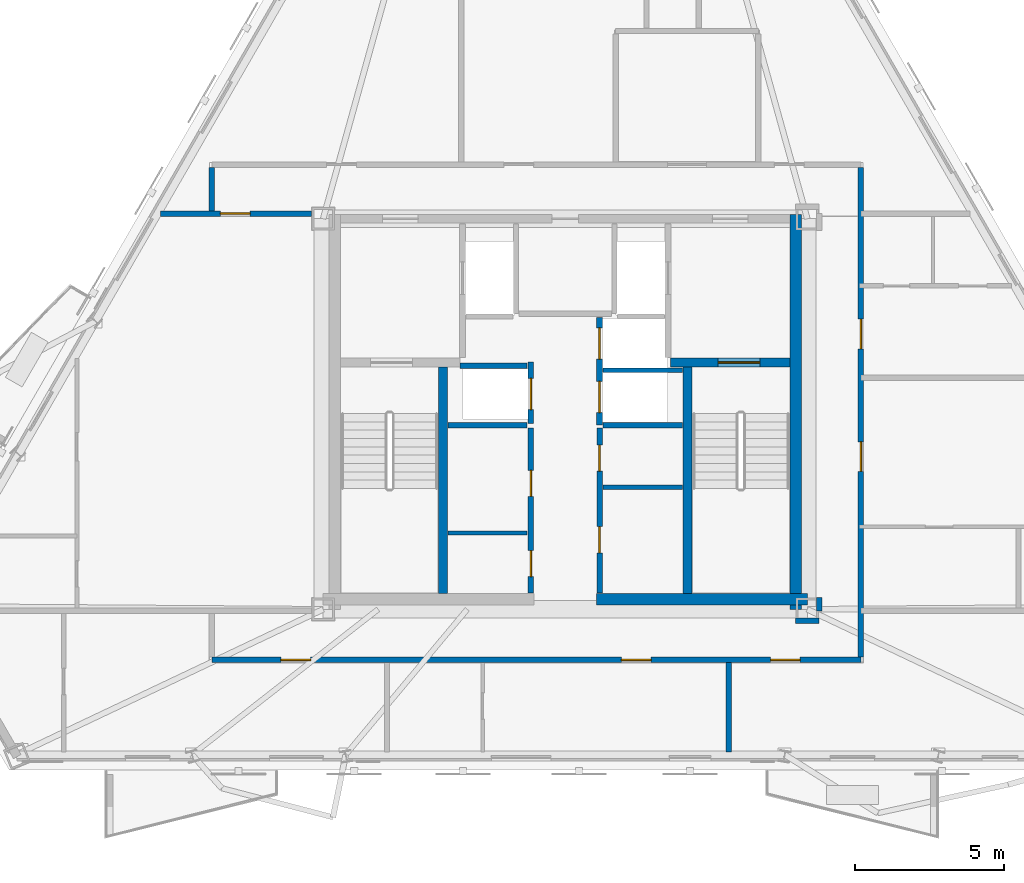
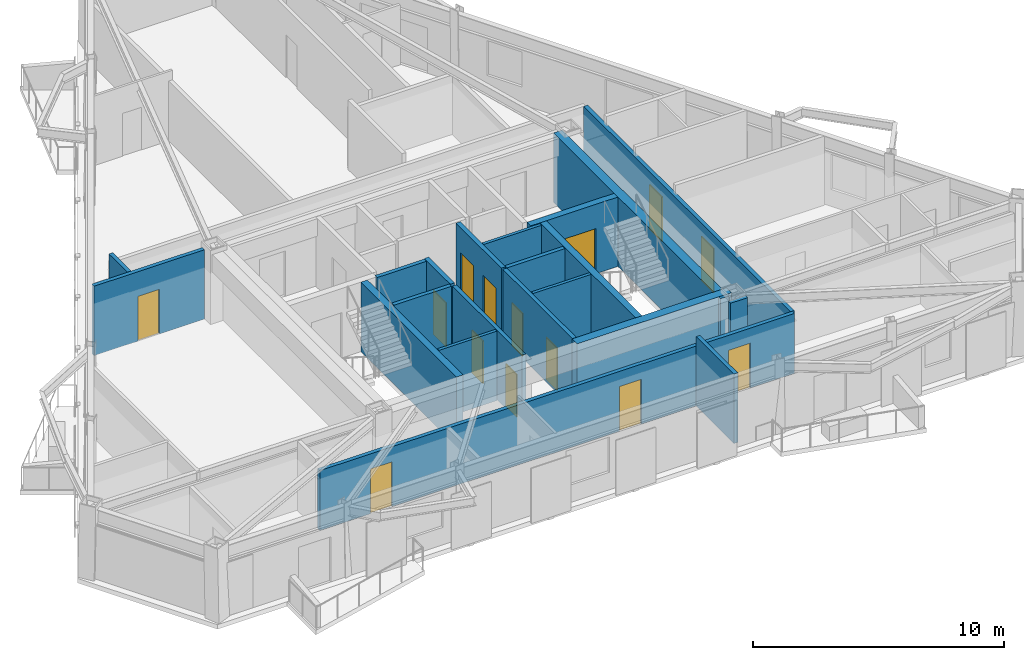
# One storey, part 3 of 9: 22 walls, 14 doors, 14 openings.
"""IFC4 building model written with IfcOpenShell, lengths in metres."""

from ifc_helpers import new_model, si_unit, direction, frame, frame_2d, origin, place, context, subcontext, project, spatial, rectangle, extrude, material, layer, layer_set, type_object, element, fill, save


model = new_model("IFC4")

# Units and contexts
model_context = context("Model", 3, precision=1e-05, world=origin(), true_north=direction((0.0, 1.0)))
body_context = subcontext(model_context, "Body", "Model", "MODEL_VIEW")
ifc_project = project(units=[si_unit("LENGTHUNIT", "METRE"), si_unit("AREAUNIT", "SQUARE_METRE"), si_unit("VOLUMEUNIT", "CUBIC_METRE"), si_unit("PLANEANGLEUNIT", "RADIAN"), si_unit("MASSUNIT", "GRAM", prefix="KILO")], contexts=[model_context])

# Site, building, storey
site_placement = place(None, origin())
site = spatial("IfcSite", under=ifc_project, at=site_placement, CompositionType="ELEMENT")
building_placement = place(site_placement, origin())
building = spatial("IfcBuilding", under=site, at=building_placement, Name="Oramaril Tower", CompositionType="ELEMENT")
storey_placement = place(building_placement, frame((0.0, 0.0, 237.89990234375)))
storey = spatial("IfcBuildingStorey", under=building, at=storey_placement, Name="L63", CompositionType="ELEMENT", Elevation=237.89990234375)

# Walls
ifc_material_1 = material(Name="Acoustic Gypsum Board Partition")
ifc_layer_1 = layer(ifc_material_1, 0.139892578125)
ifc_layer_set_1 = layer_set([ifc_layer_1], Name="WT-PT14")
wall_type_1 = type_object("IfcWallType", Name="WT-PT14", PredefinedType="PARTITIONING", material=ifc_layer_set_1)
for number, where, z_axis, x_axis, name in (
    (1, (33.56005859375, 13.570068359375, 0.0), (0.0, 0.0, 1.0), (1.0, 0.0, 0.0), "L63 Freed Shaft Divider"),
    (2, (38.780029296875, 19.050048828125, 0.0), (0.0, 0.0, 1.0), (1.0, 0.0, 0.0), "L63 High-Rise Lift H2-H3 Divider"),
    (3, (38.780029296875, 15.110107421875, 0.0), (0.0, 0.0, 1.0), (1.0, 0.0, 0.0), "L63 Freed Shaft Divider"),
):
    element("IfcWall", number, at=place(storey_placement, frame(where, z_axis=z_axis, x_axis=x_axis)), inside=storey, type_object=wall_type_1, Name=name, PredefinedType="PARTITIONING", context=body_context, shape_type="SweptSolid", body=[
        extrude(rectangle(XDim=2.659912109375, YDim=0.139892578125, at=frame_2d((1.330078125, 0.0))), origin(), (0.0, 0.0, 1.0), 3.380126953125),
    ])
ifc_material_2 = material(Name="Autoclaved Cellular Concrete Block", Category="concrete")
ifc_layer_2 = layer(ifc_material_2, 0.179931640625)
ifc_layer_set_2 = layer_set([ifc_layer_2], Name="WT-PT18")
wall_type_2 = type_object("IfcWallType", Name="WT-PT18", PredefinedType="PARTITIONING", material=ifc_layer_set_2)
wall_1_placement = place(storey_placement, frame((33.949951171875, 19.199951171875, 0.0), z_axis=(0.0, 0.0, 1.0), x_axis=(1.0, 0.0, 0.0)))
element("IfcWall", 4, at=wall_1_placement, inside=storey, type_object=wall_type_2, Name="L63 High-Rise Lift H1 North Shaft Wall", PredefinedType="PARTITIONING", context=body_context, shape_type="SweptSolid", body=[
    extrude(rectangle(XDim=2.27001953125, YDim=0.179931640625, at=frame_2d((1.135009765625, 0.0))), origin(), (0.0, 0.0, 1.0), 3.380126953125),
])
wall_2_placement = place(storey_placement, frame((33.56005859375, 17.199951171875, 0.0), z_axis=(0.0, 0.0, 1.0), x_axis=(1.0, 0.0, 0.0)))
element("IfcWall", 5, at=wall_2_placement, inside=storey, type_object=wall_type_2, Name="L63 High-Rise Lift H1 South Wall", PredefinedType="PARTITIONING", context=body_context, shape_type="SweptSolid", body=[
    extrude(rectangle(XDim=2.659912109375, YDim=0.179931640625, at=frame_2d((1.330078125, 0.0))), origin(), (0.0, 0.0, 1.0), 3.380126953125),
])

# Wall, openings, doors
wall_3_placement = place(storey_placement, frame((36.340087890625, 11.550048828125, 0.0), z_axis=(0.0, 0.0, 1.0), x_axis=(0.0, 1.0, 0.0)))
wall_3 = element("IfcWall", 6, at=wall_3_placement, inside=storey, type_object=wall_type_2, Name="L63 Freed Shaft Study East Wall", PredefinedType="PARTITIONING", context=body_context, shape_type="SweptSolid", body=[
    extrude(rectangle(XDim=5.550048828125, YDim=0.179931640625, at=frame_2d((2.77490234375, 0.0))), origin(), (0.0, 0.0, 1.0), 3.380126953125),
])
opening_1_placement = place(wall_3_placement, frame((0.550048828125, 0.0, 0.0)))
opening_1 = element("IfcOpeningElement", 7, at=opening_1_placement, cuts=wall_3, Name="Opening D-L63-FL1", PredefinedType="OPENING", context=body_context, shape_type="SweptSolid", body=[
    extrude(rectangle(XDim=0.8798828125, YDim=2.080078125, at=frame_2d((0.43994140625, 1.0400390625))), frame((0.0, 0.08984375, 0.0), z_axis=(0.0, -1.0, 0.0), x_axis=(1.0, 0.0, 0.0)), (0.0, 0.0, 1.0), 0.179931640625),
])
opening_2_placement = place(wall_3_placement, frame((3.25, 0.0, 0.0)))
opening_2 = element("IfcOpeningElement", 8, at=opening_2_placement, cuts=wall_3, Name="Opening D-L63-FL2", PredefinedType="OPENING", context=body_context, shape_type="SweptSolid", body=[
    extrude(rectangle(XDim=0.8798828125, YDim=2.080078125, at=frame_2d((0.43994140625, 1.0400390625))), frame((0.0, 0.08984375, 0.0), z_axis=(0.0, -1.0, 0.0), x_axis=(1.0, 0.0, 0.0)), (0.0, 0.0, 1.0), 0.179931640625),
])
ifc_material_3 = material(Name="FSC Brazilian Freijo Hardwood", Category="wood")
door_type_1 = type_object("IfcDoorType", Name="DT-BATH", OperationType="NOTDEFINED", PredefinedType="DOOR", material=ifc_material_3)
door_1_placement = place(opening_1_placement, origin())
door_1 = element("IfcDoor", 9, at=door_1_placement, inside=storey, type_object=door_type_1, Name="L63 L63 Residents Tasting Dining Nook Door", OperationType="SINGLE_SWING_LEFT", OverallHeight=2.080078125, OverallWidth=0.8798828125, PredefinedType="DOOR", context=body_context, shape_type="SweptSolid", body=[
    extrude(rectangle(XDim=0.8798828125, YDim=2.080078125, at=frame_2d((0.43994140625, 1.0400390625))), frame((0.0, 0.02490234375, 0.0), z_axis=(0.0, -1.0, 0.0), x_axis=(1.0, 0.0, 0.0)), (0.0, 0.0, 1.0), 0.050048828125),
])
fill(opening_1, door_1)
door_2_placement = place(opening_2_placement, origin())
door_2 = element("IfcDoor", 10, at=door_2_placement, inside=storey, type_object=door_type_1, Name="L63 L63 Floor Co-Work Office Door", OperationType="SINGLE_SWING_RIGHT", OverallHeight=2.080078125, OverallWidth=0.8798828125, PredefinedType="DOOR", context=body_context, shape_type="SweptSolid", body=[
    extrude(rectangle(XDim=0.8798828125, YDim=2.080078125, at=frame_2d((0.43994140625, 1.0400390625))), frame((0.0, 0.02490234375, 0.0), z_axis=(0.0, -1.0, 0.0), x_axis=(1.0, 0.0, 0.0)), (0.0, 0.0, 1.0), 0.050048828125),
])
fill(opening_2, door_2)

# Wall
wall_4_placement = place(storey_placement, frame((38.780029296875, 17.199951171875, 0.0), z_axis=(0.0, 0.0, 1.0), x_axis=(1.0, 0.0, 0.0)))
element("IfcWall", 11, at=wall_4_placement, inside=storey, type_object=wall_type_2, Name="L63 High-Rise Lift H2 South Wall", PredefinedType="PARTITIONING", context=body_context, shape_type="SweptSolid", body=[
    extrude(rectangle(XDim=2.659912109375, YDim=0.179931640625, at=frame_2d((1.330078125, 0.0))), origin(), (0.0, 0.0, 1.0), 3.380126953125),
])

# Wall, openings, doors
wall_5_placement = place(storey_placement, frame((38.659912109375, 11.550048828125, 0.0), z_axis=(0.0, 0.0, 1.0), x_axis=(0.0, 1.0, 0.0)))
wall_5 = element("IfcWall", 12, at=wall_5_placement, inside=storey, type_object=wall_type_2, Name="L63 Freed Shaft Alcove West Wall", PredefinedType="PARTITIONING", context=body_context, shape_type="SweptSolid", body=[
    extrude(rectangle(XDim=5.550048828125, YDim=0.179931640625, at=frame_2d((2.77490234375, 0.0))), origin(), (0.0, 0.0, 1.0), 3.380126953125),
])
opening_3_placement = place(wall_5_placement, frame((1.35009765625, 0.0, 0.0)))
opening_3 = element("IfcOpeningElement", 13, at=opening_3_placement, cuts=wall_5, Name="Opening D-L63-FM1", PredefinedType="OPENING", context=body_context, shape_type="SweptSolid", body=[
    extrude(rectangle(XDim=0.8798828125, YDim=2.080078125, at=frame_2d((0.43994140625, 1.0400390625))), frame((0.0, 0.08984375, 0.0), z_axis=(0.0, -1.0, 0.0), x_axis=(1.0, 0.0, 0.0)), (0.0, 0.0, 1.0), 0.179931640625),
])
opening_4_placement = place(wall_5_placement, frame((4.10009765625, 0.0, 0.0)))
opening_4 = element("IfcOpeningElement", 14, at=opening_4_placement, cuts=wall_5, Name="Opening D-L63-FM2", PredefinedType="OPENING", context=body_context, shape_type="SweptSolid", body=[
    extrude(rectangle(XDim=0.8798828125, YDim=2.080078125, at=frame_2d((0.43994140625, 1.0400390625))), frame((0.0, 0.08984375, 0.0), z_axis=(0.0, -1.0, 0.0), x_axis=(1.0, 0.0, 0.0)), (0.0, 0.0, 1.0), 0.179931640625),
])
door_3_placement = place(opening_3_placement, origin())
door_3 = element("IfcDoor", 15, at=door_3_placement, inside=storey, type_object=door_type_1, Name="L63 L63 Private Home Office Door", OperationType="SINGLE_SWING_RIGHT", OverallHeight=2.080078125, OverallWidth=0.8798828125, PredefinedType="DOOR", context=body_context, shape_type="SweptSolid", body=[
    extrude(rectangle(XDim=0.8798828125, YDim=2.080078125, at=frame_2d((0.43994140625, 1.0400390625))), frame((0.0, 0.02490234375, 0.0), z_axis=(0.0, -1.0, 0.0), x_axis=(1.0, 0.0, 0.0)), (0.0, 0.0, 1.0), 0.050048828125),
])
fill(opening_3, door_3)
door_4_placement = place(opening_4_placement, origin())
door_4 = element("IfcDoor", 16, at=door_4_placement, inside=storey, type_object=door_type_1, Name="L63 L63 Sky Tea Dining Alcove Door", OperationType="SINGLE_SWING_LEFT", OverallHeight=2.080078125, OverallWidth=0.8798828125, PredefinedType="DOOR", context=body_context, shape_type="SweptSolid", body=[
    extrude(rectangle(XDim=0.8798828125, YDim=2.080078125, at=frame_2d((0.43994140625, 1.0400390625))), frame((0.0, 0.02490234375, 0.0), z_axis=(0.0, -1.0, 0.0), x_axis=(1.0, 0.0, 0.0)), (0.0, 0.0, 1.0), 0.050048828125),
])
fill(opening_4, door_4)

wall_6_placement = place(storey_placement, frame((25.60009765625, 9.300048828125, 0.0), z_axis=(0.0, 0.0, 1.0), x_axis=(1.0, 0.0, 0.0)))
wall_6 = element("IfcWall", 17, at=wall_6_placement, inside=storey, type_object=wall_type_2, Name="L63 Interior Partition PT-18", PredefinedType="PARTITIONING", context=body_context, shape_type="SweptSolid", body=[
    extrude(rectangle(XDim=21.849853515625, YDim=0.179931640625, at=frame_2d((10.9248046875, 0.0))), origin(), (0.0, 0.0, 1.0), 2.9130859375),
])
opening_5_placement = place(wall_6_placement, frame((2.3251953125, 0.0, 0.0)))
opening_5 = element("IfcOpeningElement", 18, at=opening_5_placement, cuts=wall_6, Name="Opening D-L63-01", PredefinedType="OPENING", context=body_context, shape_type="SweptSolid", body=[
    extrude(rectangle(XDim=1.0, YDim=2.179931640625, at=frame_2d((0.5, 1.08984375))), frame((0.0, 0.08984375, 0.0), z_axis=(0.0, -1.0, 0.0), x_axis=(1.0, 0.0, 0.0)), (0.0, 0.0, 1.0), 0.179931640625),
])
opening_6_placement = place(wall_6_placement, frame((13.793212890625, 0.0, 0.0)))
opening_6 = element("IfcOpeningElement", 19, at=opening_6_placement, cuts=wall_6, Name="Opening D-L63-02", PredefinedType="OPENING", context=body_context, shape_type="SweptSolid", body=[
    extrude(rectangle(XDim=1.0, YDim=2.179931640625, at=frame_2d((0.5, 1.08984375))), frame((0.0, 0.08984375, 0.0), z_axis=(0.0, -1.0, 0.0), x_axis=(1.0, 0.0, 0.0)), (0.0, 0.0, 1.0), 0.179931640625),
])
opening_7_placement = place(wall_6_placement, frame((18.81201171875, 0.0, 0.0)))
opening_7 = element("IfcOpeningElement", 20, at=opening_7_placement, cuts=wall_6, Name="Opening D-L63-03", PredefinedType="OPENING", context=body_context, shape_type="SweptSolid", body=[
    extrude(rectangle(XDim=1.0, YDim=2.179931640625, at=frame_2d((0.5, 1.08984375))), frame((0.0, 0.08984375, 0.0), z_axis=(0.0, -1.0, 0.0), x_axis=(1.0, 0.0, 0.0)), (0.0, 0.0, 1.0), 0.179931640625),
])
ifc_material_4 = material(Name="FSC Brazilian Freijo Hardwood", Category="wood")
door_type_2 = type_object("IfcDoorType", Name="DT-APT", OperationType="NOTDEFINED", PredefinedType="DOOR", material=ifc_material_4)
door_5_placement = place(opening_5_placement, origin())
door_5 = element("IfcDoor", 21, at=door_5_placement, inside=storey, type_object=door_type_2, Name="L63 Flat L63-U1 Kitchen and Studio Apartment Door D-L63-01", OperationType="SINGLE_SWING_LEFT", OverallHeight=2.179931640625, OverallWidth=1.0, PredefinedType="DOOR", context=body_context, shape_type="SweptSolid", body=[
    extrude(rectangle(XDim=1.0, YDim=2.179931640625, at=frame_2d((0.5, 1.08984375))), frame((0.0, 0.02490234375, 0.0), z_axis=(0.0, -1.0, 0.0), x_axis=(1.0, 0.0, 0.0)), (0.0, 0.0, 1.0), 0.050048828125),
])
fill(opening_5, door_5)
door_6_placement = place(opening_6_placement, origin())
door_6 = element("IfcDoor", 22, at=door_6_placement, inside=storey, type_object=door_type_2, Name="L63 Flat L63-U2 Kitchen and Studio Apartment Door D-L63-02", OperationType="SINGLE_SWING_RIGHT", OverallHeight=2.179931640625, OverallWidth=1.0, PredefinedType="DOOR", context=body_context, shape_type="SweptSolid", body=[
    extrude(rectangle(XDim=1.0, YDim=2.179931640625, at=frame_2d((0.5, 1.08984375))), frame((0.0, 0.02490234375, 0.0), z_axis=(0.0, -1.0, 0.0), x_axis=(1.0, 0.0, 0.0)), (0.0, 0.0, 1.0), 0.050048828125),
])
fill(opening_6, door_6)
door_7_placement = place(opening_7_placement, origin())
door_7 = element("IfcDoor", 23, at=door_7_placement, inside=storey, type_object=door_type_2, Name="L63 Flat L63-U3 Studio Apartment Door D-L63-03", OperationType="SINGLE_SWING_LEFT", OverallHeight=2.179931640625, OverallWidth=1.0, PredefinedType="DOOR", context=body_context, shape_type="SweptSolid", body=[
    extrude(rectangle(XDim=1.0, YDim=2.179931640625, at=frame_2d((0.5, 1.08984375))), frame((0.0, 0.02490234375, 0.0), z_axis=(0.0, -1.0, 0.0), x_axis=(1.0, 0.0, 0.0)), (0.0, 0.0, 1.0), 0.050048828125),
])
fill(opening_7, door_7)

# Wall
wall_7_placement = place(storey_placement, frame((45.260009765625, 10.610107421875, 0.0), z_axis=(0.0, 0.0, 1.0), x_axis=(1.0, 0.0, 0.0)))
element("IfcWall", 24, at=wall_7_placement, inside=storey, type_object=wall_type_2, Name="L63 Interior Partition PT-18", PredefinedType="PARTITIONING", context=body_context, shape_type="SweptSolid", body=[
    extrude(rectangle(XDim=0.780029296875, YDim=0.179931640625, at=frame_2d((0.39013671875, 0.0))), origin(), (0.0, 0.0, 1.0), 3.380126953125),
])

# Wall, opening, door
wall_8_placement = place(storey_placement, frame((23.8759765625, 24.320068359375, 0.0), z_axis=(0.0, 0.0, 1.0), x_axis=(1.0, 0.0, 0.0)))
wall_8 = element("IfcWall", 25, at=wall_8_placement, inside=storey, type_object=wall_type_2, Name="L63 Interior Partition PT-18", PredefinedType="PARTITIONING", context=body_context, shape_type="SweptSolid", body=[
    extrude(rectangle(XDim=5.083984375, YDim=0.179931640625, at=frame_2d((2.5419921875, 0.0))), origin(), (0.0, 0.0, 1.0), 3.380126953125),
])
opening_8_placement = place(wall_8_placement, frame((2.01220703125, 0.0, 0.0)))
opening_8 = element("IfcOpeningElement", 26, at=opening_8_placement, cuts=wall_8, Name="Opening D-L63-09", PredefinedType="OPENING", context=body_context, shape_type="SweptSolid", body=[
    extrude(rectangle(XDim=1.0, YDim=2.179931640625, at=frame_2d((0.5, 1.08984375))), frame((0.0, 0.08984375, 0.0), z_axis=(0.0, -1.0, 0.0), x_axis=(1.0, 0.0, 0.0)), (0.0, 0.0, 1.0), 0.179931640625),
])
door_8_placement = place(opening_8_placement, origin())
door_8 = element("IfcDoor", 27, at=door_8_placement, inside=storey, type_object=door_type_2, Name="L63 Flat L63-U4 Studio Apartment Door D-L63-09", OperationType="SINGLE_SWING_LEFT", OverallHeight=2.179931640625, OverallWidth=1.0, PredefinedType="DOOR", context=body_context, shape_type="SweptSolid", body=[
    extrude(rectangle(XDim=1.0, YDim=2.179931640625, at=frame_2d((0.5, 1.08984375))), frame((0.0, 0.02490234375, 0.0), z_axis=(0.0, -1.0, 0.0), x_axis=(1.0, 0.0, 0.0)), (0.0, 0.0, 1.0), 0.050048828125),
])
fill(opening_8, door_8)

# Walls
wall_9_placement = place(storey_placement, frame((25.60009765625, 24.4140625, 0.0), z_axis=(0.0, 0.0, 1.0), x_axis=(0.0, 1.0, 0.0)))
element("IfcWall", 28, at=wall_9_placement, inside=storey, type_object=wall_type_2, Name="L63 Interior Partition PT-18", PredefinedType="PARTITIONING", context=body_context, shape_type="SweptSolid", body=[
    extrude(rectangle(XDim=1.4619140625, YDim=0.179931640625, at=frame_2d((0.73095703125, 0.0))), origin(), (0.0, 0.0, 1.0), 3.380126953125),
])
wall_10_placement = place(storey_placement, frame((43.0, 6.191162109375, 0.0), z_axis=(0.0, 0.0, 1.0), x_axis=(0.0, 1.0, 0.0)))
element("IfcWall", 29, at=wall_10_placement, inside=storey, type_object=wall_type_2, Name="L63 Interior Partition PT-18", PredefinedType="PARTITIONING", context=body_context, shape_type="SweptSolid", body=[
    extrude(rectangle(XDim=3.014892578125, YDim=0.179931640625, at=frame_2d((1.50732421875, 0.0))), origin(), (0.0, 0.0, 1.0), 3.380126953125),
])
wall_11_placement = place(storey_placement, frame((46.050048828125, 10.949951171875, 0.0), z_axis=(0.0, 0.0, 1.0), x_axis=(0.0, 1.0, 0.0)))
element("IfcWall", 30, at=wall_11_placement, inside=storey, type_object=wall_type_2, Name="L63 Interior Partition PT-18", PredefinedType="PARTITIONING", context=body_context, shape_type="SweptSolid", body=[
    extrude(rectangle(XDim=0.445068359375, YDim=0.179931640625, at=frame_2d((0.22265625, 0.0))), origin(), (0.0, 0.0, 1.0), 2.9130859375),
])

# Wall, openings, doors
wall_12_placement = place(storey_placement, frame((47.449951171875, 9.39404296875, 0.0), z_axis=(0.0, 0.0, 1.0), x_axis=(0.0, 1.0, 0.0)))
wall_12 = element("IfcWall", 31, at=wall_12_placement, inside=storey, type_object=wall_type_2, Name="L63 Interior Partition PT-18", PredefinedType="PARTITIONING", context=body_context, shape_type="SweptSolid", body=[
    extrude(rectangle(XDim=16.48193359375, YDim=0.179931640625, at=frame_2d((8.240966796875, 0.0))), origin(), (0.0, 0.0, 1.0), 2.9130859375),
])
opening_9_placement = place(wall_12_placement, frame((6.246826171875, 0.0, 0.0)))
opening_9 = element("IfcOpeningElement", 32, at=opening_9_placement, cuts=wall_12, Name="Opening D-L63-21", PredefinedType="OPENING", context=body_context, shape_type="SweptSolid", body=[
    extrude(rectangle(XDim=1.0, YDim=2.179931640625, at=frame_2d((0.5, 1.08984375))), frame((0.0, 0.08984375, 0.0), z_axis=(0.0, -1.0, 0.0), x_axis=(1.0, 0.0, 0.0)), (0.0, 0.0, 1.0), 0.179931640625),
])
opening_10_placement = place(wall_12_placement, frame((10.378662109375, 0.0, 0.0)))
opening_10 = element("IfcOpeningElement", 33, at=opening_10_placement, cuts=wall_12, Name="Opening D-L63-22", PredefinedType="OPENING", context=body_context, shape_type="SweptSolid", body=[
    extrude(rectangle(XDim=1.0, YDim=2.179931640625, at=frame_2d((0.5, 1.08984375))), frame((0.0, 0.08984375, 0.0), z_axis=(0.0, -1.0, 0.0), x_axis=(1.0, 0.0, 0.0)), (0.0, 0.0, 1.0), 0.179931640625),
])
door_9_placement = place(opening_9_placement, origin())
door_9 = element("IfcDoor", 34, at=door_9_placement, inside=storey, type_object=door_type_2, Name="L63 Flat L63-U5 Living and Dining Room Door D-L63-21", OperationType="SINGLE_SWING_LEFT", OverallHeight=2.179931640625, OverallWidth=1.0, PredefinedType="DOOR", context=body_context, shape_type="SweptSolid", body=[
    extrude(rectangle(XDim=1.0, YDim=2.179931640625, at=frame_2d((0.5, 1.08984375))), frame((0.0, 0.02490234375, 0.0), z_axis=(0.0, -1.0, 0.0), x_axis=(1.0, 0.0, 0.0)), (0.0, 0.0, 1.0), 0.050048828125),
])
fill(opening_9, door_9)
door_10_placement = place(opening_10_placement, origin())
door_10 = element("IfcDoor", 35, at=door_10_placement, inside=storey, type_object=door_type_2, Name="L63 Flat L63-U6 Studio Apartment Door D-L63-22", OperationType="SINGLE_SWING_RIGHT", OverallHeight=2.179931640625, OverallWidth=1.0, PredefinedType="DOOR", context=body_context, shape_type="SweptSolid", body=[
    extrude(rectangle(XDim=1.0, YDim=2.179931640625, at=frame_2d((0.5, 1.08984375))), frame((0.0, 0.02490234375, 0.0), z_axis=(0.0, -1.0, 0.0), x_axis=(1.0, 0.0, 0.0)), (0.0, 0.0, 1.0), 0.050048828125),
])
fill(opening_10, door_10)

# Wall, opening, door
ifc_material_5 = material(Name="Concrete C50/60", Category="concrete")
ifc_layer_3 = layer(ifc_material_5, 0.300048828125)
ifc_layer_set_3 = layer_set([ifc_layer_3], Name="WT-SH30")
wall_type_3 = type_object("IfcWallType", Name="WT-SH30", PredefinedType="SHEAR", material=ifc_layer_set_3)
wall_13_placement = place(storey_placement, frame((41.050048828125, 19.31005859375, 0.0), z_axis=(0.0, 0.0, 1.0), x_axis=(1.0, 0.0, 0.0)))
wall_13 = element("IfcWall", 36, at=wall_13_placement, inside=storey, type_object=wall_type_3, Name="L63 Core Shear Wall CW-ST2N", PredefinedType="SHEAR", context=body_context, shape_type="SweptSolid", body=[
    extrude(rectangle(XDim=4.010009765625, YDim=0.300048828125, at=frame_2d((2.0048828125, 0.0))), origin(), (0.0, 0.0, 1.0), 3.380126953125),
])
opening_11_placement = place(wall_13_placement, frame((1.60009765625, 0.0, 0.0)))
opening_11 = element("IfcOpeningElement", 37, at=opening_11_placement, cuts=wall_13, Name="Opening D-L63-ST2", PredefinedType="OPENING", context=body_context, shape_type="SweptSolid", body=[
    extrude(rectangle(XDim=1.39990234375, YDim=2.199951171875, at=frame_2d((0.699951171875, 1.10009765625))), frame((0.0, 0.14990234375, 0.0), z_axis=(0.0, -1.0, 0.0), x_axis=(1.0, 0.0, 0.0)), (0.0, 0.0, 1.0), 0.300048828125),
])
ifc_material_6 = material(Name="Painted Galvanised Steel", Category="steel")
door_type_3 = type_object("IfcDoorType", Name="DT-ST", OperationType="NOTDEFINED", PredefinedType="DOOR", material=ifc_material_6)
door_11_placement = place(opening_11_placement, origin())
door_11 = element("IfcDoor", 38, at=door_11_placement, inside=storey, type_object=door_type_3, Name="L63 Protected Stair ST-2 Fire Door", OperationType="SINGLE_SWING_RIGHT", OverallHeight=2.199951171875, OverallWidth=1.39990234375, PredefinedType="DOOR", context=body_context, shape_type="SweptSolid", body=[
    extrude(rectangle(XDim=1.39990234375, YDim=2.199951171875, at=frame_2d((0.699951171875, 1.10009765625))), frame((0.0, 0.02490234375, 0.0), z_axis=(0.0, -1.0, 0.0), x_axis=(1.0, 0.0, 0.0)), (0.0, 0.0, 1.0), 0.050048828125),
])
fill(opening_11, door_11)

# Walls
for number, where, z_axis, x_axis, name in (
    (39, (33.3798828125, 11.5400390625, 0.0), (0.0, 0.0, 1.0), (0.0, 1.0, 0.0), "L63 Core Shear Wall CW-ST1E"),
    (40, (41.6201171875, 11.5400390625, 0.0), (0.0, 0.0, 1.0), (0.0, 1.0, 0.0), "L63 Core Shear Wall CW-ST2W"),
):
    element("IfcWall", number, at=place(storey_placement, frame(where, z_axis=z_axis, x_axis=x_axis)), inside=storey, type_object=wall_type_3, Name=name, PredefinedType="SHEAR", context=body_context, shape_type="SweptSolid", body=[
        extrude(rectangle(XDim=7.619873046875, YDim=0.300048828125, at=frame_2d((3.81005859375, 0.0))), origin(), (0.0, 0.0, 1.0), 3.380126953125),
    ])
ifc_material_7 = material(Name="Concrete C50/60", Category="concrete")
ifc_layer_4 = layer(ifc_material_7, 0.39990234375)
ifc_layer_set_4 = layer_set([ifc_layer_4], Name="WT-SH40")
wall_type_4 = type_object("IfcWallType", Name="WT-SH40", PredefinedType="SHEAR", material=ifc_layer_set_4)
wall_14_placement = place(storey_placement, frame((45.260009765625, 11.0, 0.0), z_axis=(0.0, 0.0, 1.0), x_axis=(0.0, 1.0, 0.0)))
element("IfcWall", 41, at=wall_14_placement, inside=storey, type_object=wall_type_4, Name="L63 Core Shear Wall CW-E", PredefinedType="SHEAR", context=body_context, shape_type="SweptSolid", body=[
    extrude(rectangle(XDim=13.300048828125, YDim=0.39990234375, at=frame_2d((6.64990234375, 0.0))), origin(), (0.0, 0.0, 1.0), 3.380126953125),
])
wall_15_placement = place(storey_placement, frame((38.550048828125, 11.340087890625, 0.0), z_axis=(0.0, 0.0, 1.0), x_axis=(1.0, 0.0, 0.0)))
element("IfcWall", 42, at=wall_15_placement, inside=storey, type_object=wall_type_4, Name="L63 Core Shear Wall CW-SE", PredefinedType="SHEAR", context=body_context, shape_type="SweptSolid", body=[
    extrude(rectangle(XDim=7.099853515625, YDim=0.39990234375, at=frame_2d((3.5498046875, 0.0))), origin(), (0.0, 0.0, 1.0), 3.380126953125),
])

# Wall, opening, door
ifc_material_8 = material(Name="Autoclaved Cellular Concrete Block", Category="concrete")
ifc_layer_5 = layer(ifc_material_8, 0.199951171875)
ifc_layer_set_5 = layer_set([ifc_layer_5], Name="WT-SHF20")
wall_type_5 = type_object("IfcWallType", Name="WT-SHF20", PredefinedType="PARTITIONING", material=ifc_layer_set_5)
wall_16_placement = place(storey_placement, frame((36.340087890625, 17.25, 0.0), z_axis=(0.0, 0.0, 1.0), x_axis=(0.0, 1.0, 0.0)))
wall_16 = element("IfcWall", 43, at=wall_16_placement, inside=storey, type_object=wall_type_5, Name="L63 High-Rise Lift H1 Front Wall", PredefinedType="PARTITIONING", context=body_context, shape_type="SweptSolid", body=[
    extrude(rectangle(XDim=2.070068359375, YDim=0.199951171875, at=frame_2d((1.03515625, 0.0))), origin(), (0.0, 0.0, 1.0), 3.380126953125),
])
opening_12_placement = place(wall_16_placement, frame((0.47509765625, 0.0, 0.0)))
opening_12 = element("IfcOpeningElement", 44, at=opening_12_placement, cuts=wall_16, Name="Opening LD-L63-LP-H1", PredefinedType="OPENING", context=body_context, shape_type="SweptSolid", body=[
    extrude(rectangle(XDim=1.050048828125, YDim=2.14990234375, at=frame_2d((0.52490234375, 1.074951171875))), frame((0.0, 0.10009765625, 0.0), z_axis=(0.0, -1.0, 0.0), x_axis=(1.0, 0.0, 0.0)), (0.0, 0.0, 1.0), 0.199951171875),
])
ifc_material_9 = material(Name="Stainless Steel 316L", Category="steel")
door_type_4 = type_object("IfcDoorType", Name="DT-LD2", OperationType="NOTDEFINED", PredefinedType="DOOR", material=ifc_material_9)
door_12_placement = place(opening_12_placement, origin())
door_12 = element("IfcDoor", 45, at=door_12_placement, inside=storey, type_object=door_type_4, Name="L63 Lift LP-H1 Sliding Landing Door", OperationType="SLIDING_TO_LEFT", OverallHeight=2.14990234375, OverallWidth=1.050048828125, PredefinedType="DOOR", context=body_context, shape_type="SweptSolid", body=[
    extrude(rectangle(XDim=1.050048828125, YDim=2.14990234375, at=frame_2d((0.52490234375, 1.074951171875))), frame((0.0, 0.02490234375, 0.0), z_axis=(0.0, -1.0, 0.0), x_axis=(1.0, 0.0, 0.0)), (0.0, 0.0, 1.0), 0.050048828125),
])
fill(opening_12, door_12)

# Wall, openings, doors
wall_17_placement = place(storey_placement, frame((38.659912109375, 17.199951171875, 0.0), z_axis=(0.0, 0.0, 1.0), x_axis=(0.0, 1.0, 0.0)))
wall_17 = element("IfcWall", 46, at=wall_17_placement, inside=storey, type_object=wall_type_5, Name="L63 High-Rise Lift H2-H3 Front Wall", PredefinedType="PARTITIONING", context=body_context, shape_type="SweptSolid", body=[
    extrude(rectangle(XDim=3.6201171875, YDim=0.199951171875, at=frame_2d((1.81005859375, 0.0))), origin(), (0.0, 0.0, 1.0), 3.380126953125),
])
opening_13_placement = place(wall_17_placement, frame((0.425048828125, 0.0, 0.0)))
opening_13 = element("IfcOpeningElement", 47, at=opening_13_placement, cuts=wall_17, Name="Opening LD-L63-LP-H2", PredefinedType="OPENING", context=body_context, shape_type="SweptSolid", body=[
    extrude(rectangle(XDim=1.050048828125, YDim=2.14990234375, at=frame_2d((0.52490234375, 1.074951171875))), frame((0.0, 0.10009765625, 0.0), z_axis=(0.0, -1.0, 0.0), x_axis=(1.0, 0.0, 0.0)), (0.0, 0.0, 1.0), 0.199951171875),
])
opening_14_placement = place(wall_17_placement, frame((2.22509765625, 0.0, 0.0)))
opening_14 = element("IfcOpeningElement", 48, at=opening_14_placement, cuts=wall_17, Name="Opening LD-L63-LP-H3", PredefinedType="OPENING", context=body_context, shape_type="SweptSolid", body=[
    extrude(rectangle(XDim=1.050048828125, YDim=2.14990234375, at=frame_2d((0.52490234375, 1.074951171875))), frame((0.0, 0.10009765625, 0.0), z_axis=(0.0, -1.0, 0.0), x_axis=(1.0, 0.0, 0.0)), (0.0, 0.0, 1.0), 0.199951171875),
])
door_13_placement = place(opening_13_placement, origin())
door_13 = element("IfcDoor", 49, at=door_13_placement, inside=storey, type_object=door_type_4, Name="L63 Lift LP-H2 Sliding Landing Door", OperationType="SLIDING_TO_RIGHT", OverallHeight=2.14990234375, OverallWidth=1.050048828125, PredefinedType="DOOR", context=body_context, shape_type="SweptSolid", body=[
    extrude(rectangle(XDim=1.050048828125, YDim=2.14990234375, at=frame_2d((0.52490234375, 1.074951171875))), frame((0.0, 0.02490234375, 0.0), z_axis=(0.0, -1.0, 0.0), x_axis=(1.0, 0.0, 0.0)), (0.0, 0.0, 1.0), 0.050048828125),
])
fill(opening_13, door_13)
door_14_placement = place(opening_14_placement, origin())
door_14 = element("IfcDoor", 50, at=door_14_placement, inside=storey, type_object=door_type_4, Name="L63 Lift LP-H3 Sliding Landing Door", OperationType="SLIDING_TO_LEFT", OverallHeight=2.14990234375, OverallWidth=1.050048828125, PredefinedType="DOOR", context=body_context, shape_type="SweptSolid", body=[
    extrude(rectangle(XDim=1.050048828125, YDim=2.14990234375, at=frame_2d((0.52490234375, 1.074951171875))), frame((0.0, 0.02490234375, 0.0), z_axis=(0.0, -1.0, 0.0), x_axis=(1.0, 0.0, 0.0)), (0.0, 0.0, 1.0), 0.050048828125),
])
fill(opening_14, door_14)

save(model, "model.ifc")
